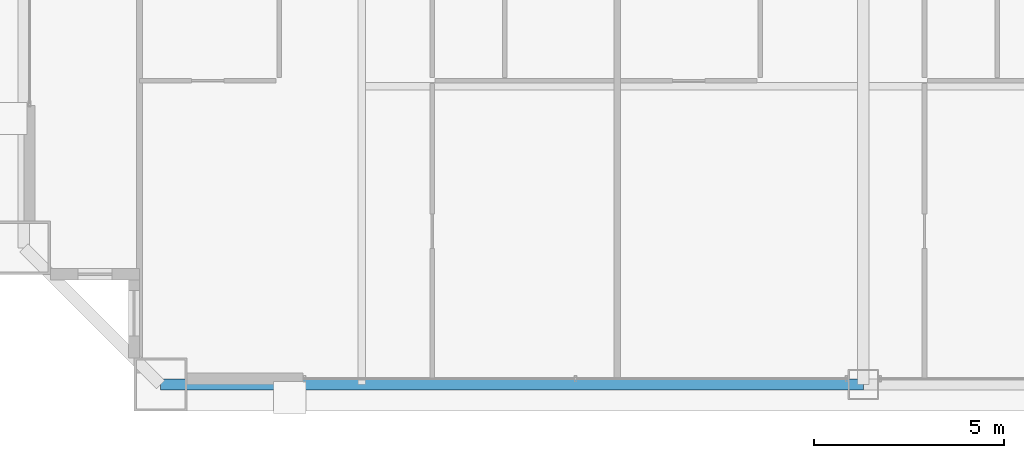
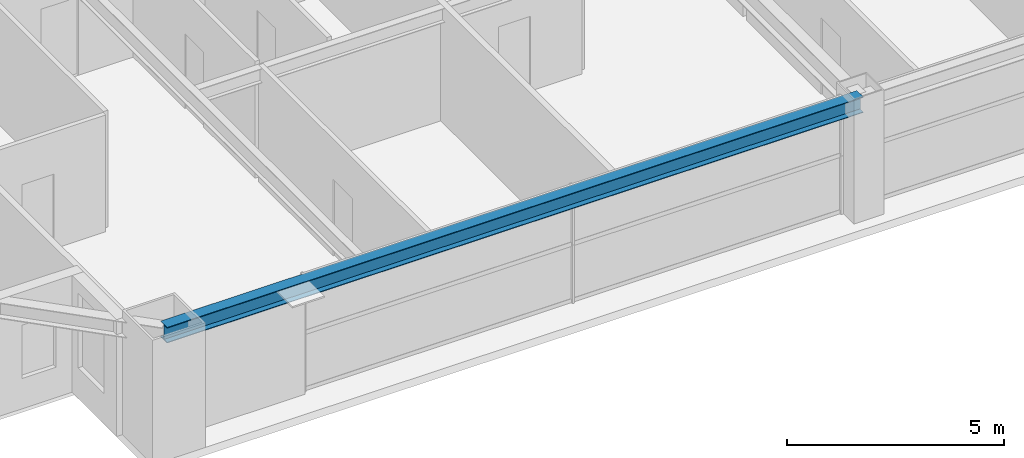
# One storey, part 5 of 38: 1 beam.
"""IFC4 building model written with IfcOpenShell, lengths in metres."""

from ifc_helpers import new_model, si_unit, direction, frame, origin, origin_2d, place, context, subcontext, project, spatial, i_section, extrude, source, transform, mapped, material, material_profile, profile_set, type_object, element, save


model = new_model("IFC4")

# Units and contexts
model_context = context("Model", 3, precision=1e-05, world=origin(), true_north=direction((0.0, 1.0)))
body_context = subcontext(model_context, "Body", "Model", "MODEL_VIEW")
ifc_project = project(units=[si_unit("LENGTHUNIT", "METRE"), si_unit("AREAUNIT", "SQUARE_METRE"), si_unit("VOLUMEUNIT", "CUBIC_METRE"), si_unit("PLANEANGLEUNIT", "RADIAN"), si_unit("MASSUNIT", "GRAM", prefix="KILO"), si_unit("THERMODYNAMICTEMPERATUREUNIT", "KELVIN"), si_unit("POWERUNIT", "WATT")], contexts=[model_context])

# Site, building, storey
site_placement = place(None, origin())
site = spatial("IfcSite", under=ifc_project, at=site_placement, CompositionType="ELEMENT")
building_placement = place(site_placement, origin())
building = spatial("IfcBuilding", under=site, at=building_placement, Name="Yuzanri Waterfront Tower", CompositionType="ELEMENT")
storey_placement = place(building_placement, frame((0.0, 0.0, 209.0)))
storey = spatial("IfcBuildingStorey", under=building, at=storey_placement, Name="L55", CompositionType="ELEMENT", Elevation=209.0)

# Beam
ifc_material = material(Name="Steel Q355B", Category="steel")
ifc_material_profile = material_profile(ifc_material, i_section(OverallWidth=0.300048828125, OverallDepth=0.43994140625, WebThickness=0.010986328125, FlangeThickness=0.01806640625, at=origin_2d()), Name="HM 440x300x11x18")
ifc_profile_set = profile_set([ifc_material_profile], Name="Steel Q355B")
beam_type = type_object("IfcBeamType", Name="Perimeter Spandrel Q355B HM 440x300", PredefinedType="SPANDREL", material=ifc_profile_set)
shared_shape = source(origin(), body_context, "Body", "SweptSolid", [
    extrude(i_section(OverallWidth=0.300048828125, OverallDepth=0.43994140625, WebThickness=0.010986328125, FlangeThickness=0.01806640625, at=origin_2d()), origin(), (0.0, 0.0, 1.0), 18.5),
])
beam_placement = place(storey_placement, frame((18.5, 3.699951171875, 3.06005859375), z_axis=(1.0, 0.0, 0.0), x_axis=(0.0, 1.0, 0.0)))
element("IfcBeam", 1, at=beam_placement, inside=storey, type_object=beam_type, Name="L55 Perimeter Spandrel S1-S2", PredefinedType="SPANDREL", context=body_context, shape_type="MappedRepresentation", body=[
    mapped(shared_shape, transform((0.0, 0.0, 0.0), scale=1.0)),
])

save(model, "model.ifc")
